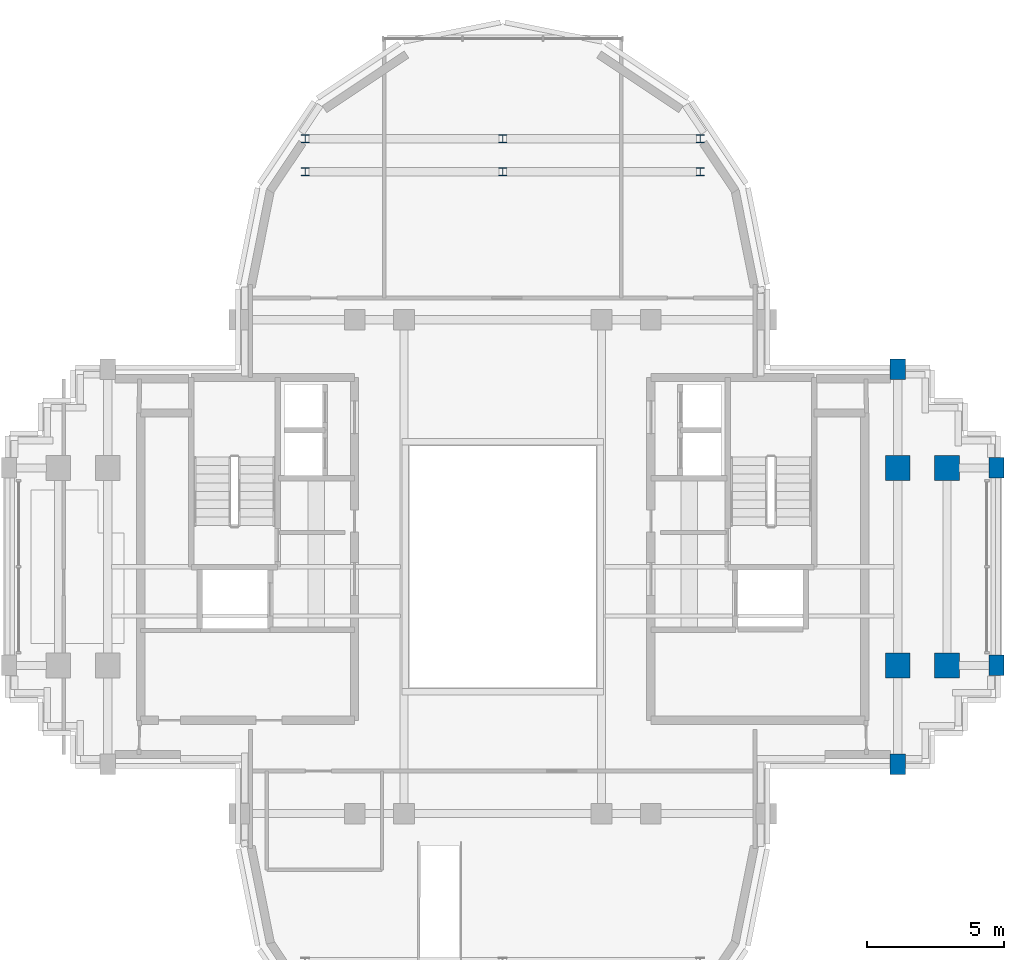
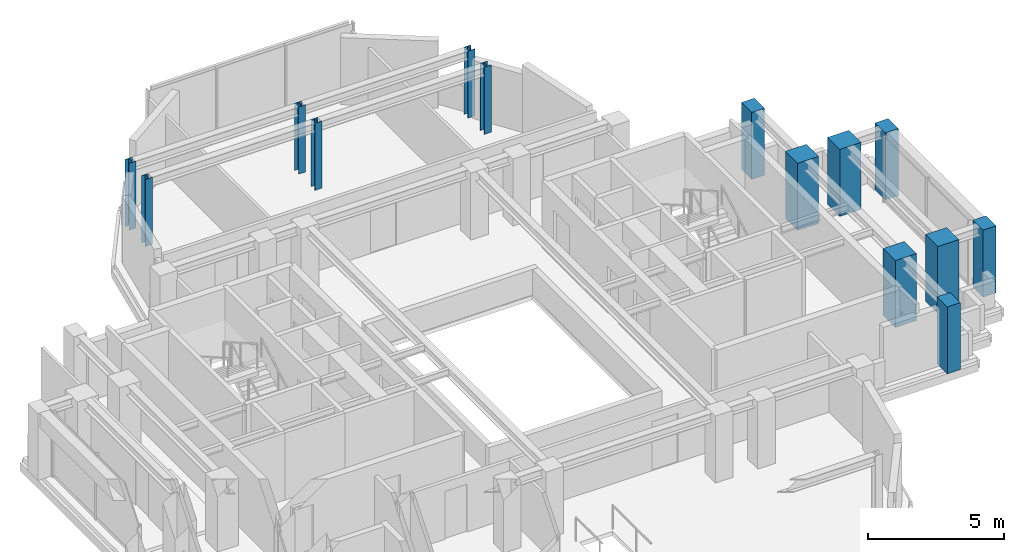
# One storey, part 2 of 12: 14 columns.
"""IFC4 building model written with IfcOpenShell, lengths in metres."""

from ifc_helpers import new_model, si_unit, direction, frame, origin, origin_2d, place, context, subcontext, project, spatial, rectangle, i_section, extrude, source, transform, mapped, material, material_profile, profile_set, type_object, element, save


model = new_model("IFC4")

# Units and contexts
model_context = context("Model", 3, precision=1e-05, world=origin(), true_north=direction((0.0, 1.0)))
body_context = subcontext(model_context, "Body", "Model", "MODEL_VIEW")
ifc_project = project(units=[si_unit("LENGTHUNIT", "METRE"), si_unit("AREAUNIT", "SQUARE_METRE"), si_unit("VOLUMEUNIT", "CUBIC_METRE"), si_unit("PLANEANGLEUNIT", "RADIAN"), si_unit("MASSUNIT", "GRAM", prefix="KILO")], contexts=[model_context])

# Site, building, storey
site_placement = place(None, origin())
site = spatial("IfcSite", under=ifc_project, at=site_placement, CompositionType="ELEMENT")
building_placement = place(site_placement, origin())
building = spatial("IfcBuilding", under=site, at=building_placement, Name="Keilestroom Media Tower", CompositionType="ELEMENT")
storey_placement = place(building_placement, frame((0.0, 0.0, 242.800048828125)))
storey = spatial("IfcBuildingStorey", under=building, at=storey_placement, Name="L67", CompositionType="ELEMENT", Elevation=242.800048828125)

# Columns
ifc_material_1 = material(Name="Precast concrete C40/50", Category="concrete")
ifc_material_profile_1 = material_profile(ifc_material_1, rectangle(XDim=0.550048828125, YDim=0.75, at=origin_2d()), Name="PC 750x550")
ifc_profile_set_1 = profile_set([ifc_material_profile_1], Name="Precast concrete C40/50")
column_type_1 = type_object("IfcColumnType", Name="Structural-Column-PC-750x550", PredefinedType="COLUMN", material=ifc_profile_set_1)
shared_shape_1 = source(origin(), body_context, "Body", "SweptSolid", [
    extrude(rectangle(XDim=0.550048828125, YDim=0.75, at=origin_2d()), origin(), (0.0, 0.0, 1.0), 3.010009765625),
])
for number, where, z_axis, x_axis, name in (
    (1, (14.39990234375, -7.199951171875, 0.0), (0.0, 0.0, 1.0), (1.0, 0.0, 0.0), "L67 Column PC-3 (+14.4,-7.2)"),
    (2, (14.39990234375, 7.199951171875, 0.0), (0.0, 0.0, 1.0), (1.0, 0.0, 0.0), "L67 Column PC-3 (+14.4,+7.2)"),
    (3, (18.0, -3.60009765625, 0.0), (0.0, 0.0, 1.0), (1.0, 0.0, 0.0), "L67 Column PC-3 (+18.0,-3.6)"),
    (4, (18.0, 3.60009765625, 0.0), (0.0, 0.0, 1.0), (1.0, 0.0, 0.0), "L67 Column PC-3 (+18.0,+3.6)"),
):
    element("IfcColumn", number, at=place(storey_placement, frame(where, z_axis=z_axis, x_axis=x_axis)), inside=storey, type_object=column_type_1, Name=name, PredefinedType="COLUMN", context=body_context, shape_type="MappedRepresentation", body=[
        mapped(shared_shape_1, transform((0.0, 0.0, 0.0), x_axis=(1.0, 0.0, 0.0), y_axis=(0.0, 1.0, 0.0), z_axis=(0.0, 0.0, 1.0), scale=1.0)),
    ])
ifc_material_2 = material(Name="Concrete C55/67", Category="concrete")
ifc_material_profile_2 = material_profile(ifc_material_2, rectangle(XDim=0.89990234375, YDim=0.89990234375, at=origin_2d()), Name="RC 900x900")
ifc_profile_set_2 = profile_set([ifc_material_profile_2], Name="Concrete C55/67")
column_type_2 = type_object("IfcColumnType", Name="Structural-Column-RC-900x900", PredefinedType="COLUMN", material=ifc_profile_set_2)
shared_shape_2 = source(origin(), body_context, "Body", "SweptSolid", [
    extrude(rectangle(XDim=0.89990234375, YDim=0.89990234375, at=origin_2d()), origin(), (0.0, 0.0, 1.0), 3.010009765625),
])
for number, where, z_axis, x_axis, name in (
    (5, (14.39990234375, -3.60009765625, 0.0), (0.0, 0.0, 1.0), (1.0, 0.0, 0.0), "L67 Column MC-4 (+14.4,-3.6)"),
    (6, (14.39990234375, 3.60009765625, 0.0), (0.0, 0.0, 1.0), (1.0, 0.0, 0.0), "L67 Column MC-4 (+14.4,+3.6)"),
    (7, (16.199951171875, -3.60009765625, 0.0), (0.0, 0.0, 1.0), (1.0, 0.0, 0.0), "L67 Column MC-4 (+16.2,-3.6)"),
    (8, (16.199951171875, 3.60009765625, 0.0), (0.0, 0.0, 1.0), (1.0, 0.0, 0.0), "L67 Column MC-4 (+16.2,+3.6)"),
):
    element("IfcColumn", number, at=place(storey_placement, frame(where, z_axis=z_axis, x_axis=x_axis)), inside=storey, type_object=column_type_2, Name=name, PredefinedType="COLUMN", context=body_context, shape_type="MappedRepresentation", body=[
        mapped(shared_shape_2, transform((0.0, 0.0, 0.0), x_axis=(1.0, 0.0, 0.0), y_axis=(0.0, 1.0, 0.0), z_axis=(0.0, 0.0, 1.0), scale=1.0)),
    ])
ifc_material_3 = material(Name="Steel S355", Category="steel")
ifc_material_profile_3 = material_profile(ifc_material_3, i_section(OverallWidth=0.300048828125, OverallDepth=0.300048828125, WebThickness=0.010986328125, FlangeThickness=0.01904296875, at=origin_2d()), Name="HEB 300")
ifc_profile_set_3 = profile_set([ifc_material_profile_3], Name="Steel S355")
column_type_3 = type_object("IfcColumnType", Name="Structural-Column-HEB-300", PredefinedType="COLUMN", material=ifc_profile_set_3)
shared_shape_3 = source(origin(), body_context, "Body", "SweptSolid", [
    extrude(i_section(OverallWidth=0.300048828125, OverallDepth=0.300048828125, WebThickness=0.010986328125, FlangeThickness=0.01904296875, at=origin_2d()), origin(), (0.0, 0.0, 1.0), 3.010009765625),
])
for number, where, z_axis, x_axis, name in (
    (9, (-7.199951171875, 14.39990234375, 0.0), (0.0, 0.0, 1.0), (1.0, 0.0, 0.0), "L67 Column SC-5 (-7.2,+14.4)"),
    (10, (-7.199951171875, 15.60009765625, 0.0), (0.0, 0.0, 1.0), (1.0, 0.0, 0.0), "L67 Column SC-5 (-7.2,+15.6)"),
    (11, (0.0, 14.39990234375, 0.0), (0.0, 0.0, 1.0), (1.0, 0.0, 0.0), "L67 Column SC-5 (+0.0,+14.4)"),
    (12, (0.0, 15.60009765625, 0.0), (0.0, 0.0, 1.0), (1.0, 0.0, 0.0), "L67 Column SC-5 (+0.0,+15.6)"),
    (13, (7.199951171875, 14.39990234375, 0.0), (0.0, 0.0, 1.0), (1.0, 0.0, 0.0), "L67 Column SC-5 (+7.2,+14.4)"),
    (14, (7.199951171875, 15.60009765625, 0.0), (0.0, 0.0, 1.0), (1.0, 0.0, 0.0), "L67 Column SC-5 (+7.2,+15.6)"),
):
    element("IfcColumn", number, at=place(storey_placement, frame(where, z_axis=z_axis, x_axis=x_axis)), inside=storey, type_object=column_type_3, Name=name, PredefinedType="COLUMN", context=body_context, shape_type="MappedRepresentation", body=[
        mapped(shared_shape_3, transform((0.0, 0.0, 0.0), x_axis=(1.0, 0.0, 0.0), y_axis=(0.0, 1.0, 0.0), z_axis=(0.0, 0.0, 1.0), scale=1.0)),
    ])

save(model, "model.ifc")
